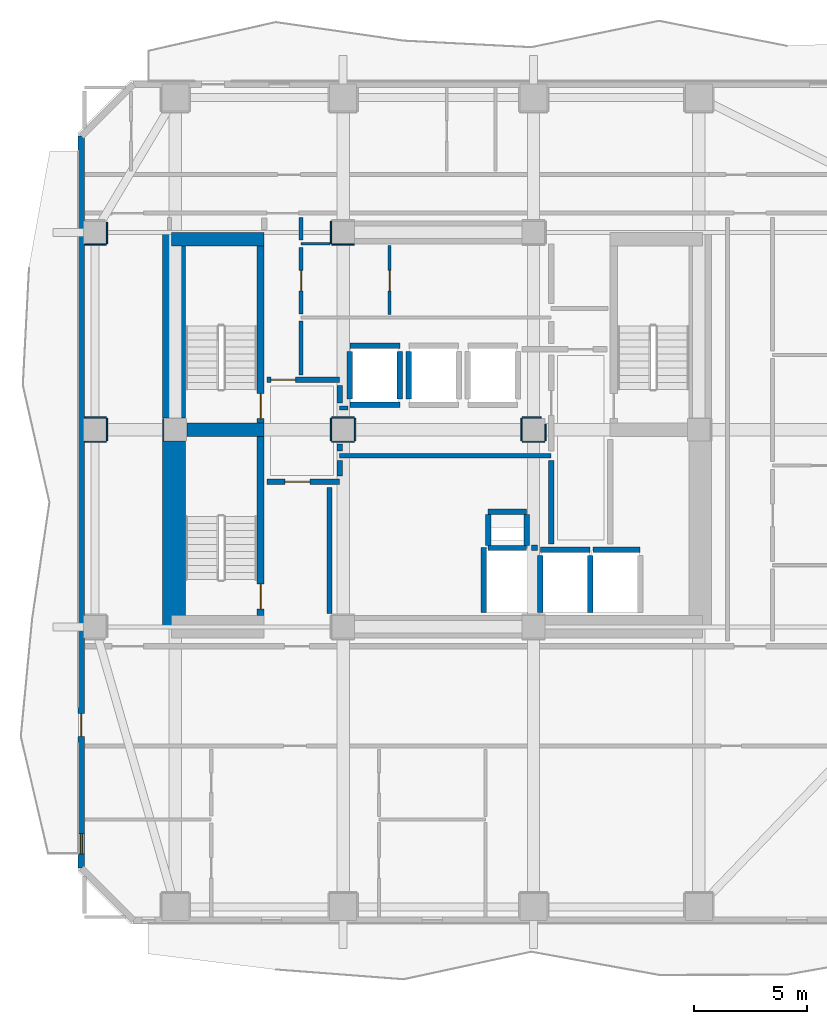
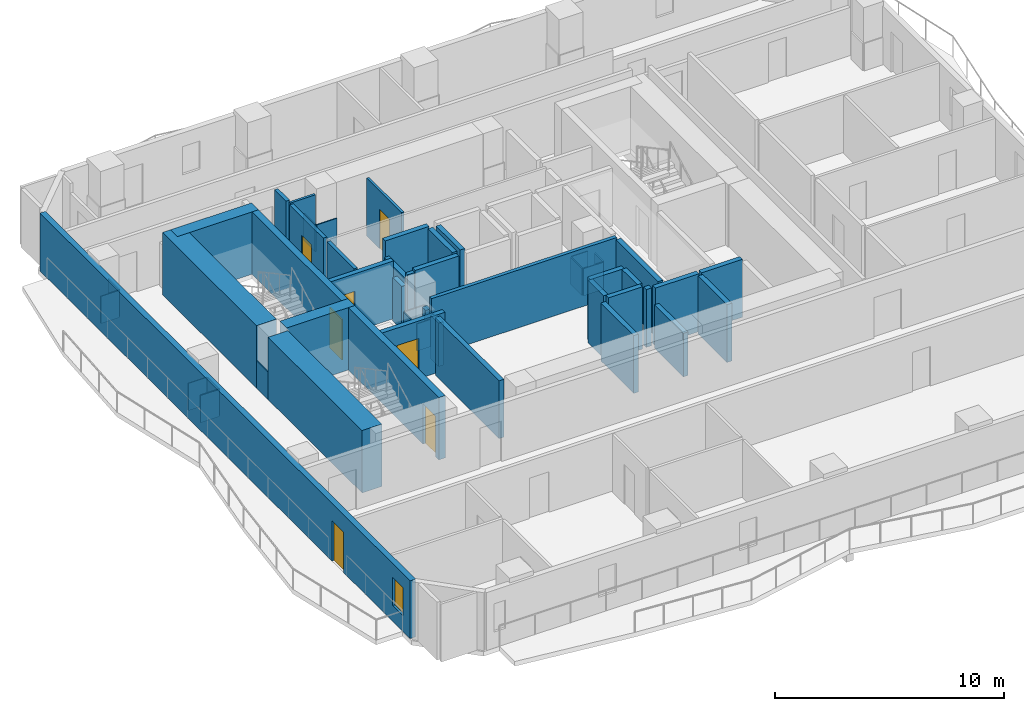
# One storey, part 3 of 9: 52 walls, 7 doors, 1 window, 8 openings.
"""IFC4 building model written with IfcOpenShell, lengths in metres."""

from ifc_helpers import new_model, si_unit, direction, frame, frame_2d, origin, place, context, subcontext, project, spatial, rectangle, extrude, material, layer, layer_set, type_object, element, fill, save


model = new_model("IFC4")

# Units and contexts
model_context = context("Model", 3, precision=1e-05, world=origin(), true_north=direction((0.0, 1.0)))
body_context = subcontext(model_context, "Body", "Model", "MODEL_VIEW")
ifc_project = project(units=[si_unit("LENGTHUNIT", "METRE"), si_unit("AREAUNIT", "SQUARE_METRE"), si_unit("VOLUMEUNIT", "CUBIC_METRE"), si_unit("PLANEANGLEUNIT", "RADIAN"), si_unit("MASSUNIT", "GRAM", prefix="KILO")], contexts=[model_context])

# Site, building, storey
site_placement = place(None, origin())
site = spatial("IfcSite", under=ifc_project, at=site_placement, CompositionType="ELEMENT")
building_placement = place(site_placement, origin())
building = spatial("IfcBuilding", under=site, at=building_placement, Name="Solanera Arch Residences", CompositionType="ELEMENT")
storey_placement = place(building_placement, frame((0.0, 0.0, 139.280029296875)))
storey = spatial("IfcBuildingStorey", under=building, at=storey_placement, Name="L40", CompositionType="ELEMENT", Elevation=139.280029296875)

# Walls
ifc_material_1 = material(Name="Fire-Rated Gypsum Stud Partition", Category="gypsum")
ifc_layer_1 = layer(ifc_material_1, 0.06005859375)
ifc_layer_set_1 = layer_set([ifc_layer_1], Name="Fire-Rated Gypsum Stud Partition")
wall_type_1 = type_object("IfcWallType", Name="Column Acoustic Furring Wall 60", PredefinedType="PARTITIONING", material=ifc_layer_set_1)
for number, where, z_axis, x_axis, name in (
    (1, (20.300048828125, 38.867919921875, 0.0), (0.0, 0.0, 1.0), (1.0, 0.0, 0.0), "L40 Column Furring 3S"),
    (2, (20.26806640625, 38.89990234375, 0.0), (0.0, 0.0, 1.0), (0.0, 1.0, 0.0), "L40 Column Furring 3W"),
):
    element("IfcWall", number, at=place(storey_placement, frame(where, z_axis=z_axis, x_axis=x_axis)), inside=storey, type_object=wall_type_1, Name=name, PredefinedType="PARTITIONING", context=body_context, shape_type="SweptSolid", body=[
        extrude(rectangle(XDim=1.0, YDim=0.06005859375, at=frame_2d((0.5, 0.0))), origin(), (0.0, 0.0, 1.0), 1.449951171875),
    ])
wall_1_placement = place(storey_placement, frame((12.867919921875, 30.2099609375, 0.0), z_axis=(0.0, 0.0, 1.0), x_axis=(0.0, 1.0, 0.0)))
element("IfcWall", 3, at=wall_1_placement, inside=storey, type_object=wall_type_1, Name="L40 Column Furring 5W", PredefinedType="PARTITIONING", context=body_context, shape_type="SweptSolid", body=[
    extrude(rectangle(XDim=0.97998046875, YDim=0.06005859375, at=frame_2d((0.489990234375, 0.0))), origin(), (0.0, 0.0, 1.0), 1.449951171875),
])
for number, where, z_axis, x_axis, name in (
    (4, (20.300048828125, 30.16796875, 0.0), (0.0, 0.0, 1.0), (1.0, 0.0, 0.0), "L40 Column Furring 7S"),
    (5, (20.300048828125, 31.23193359375, 0.0), (0.0, 0.0, 1.0), (1.0, 0.0, 0.0), "L40 Column Furring 7N"),
    (6, (20.26806640625, 30.199951171875, 0.0), (0.0, 0.0, 1.0), (0.0, 1.0, 0.0), "L40 Column Furring 7W"),
    (7, (21.33203125, 30.199951171875, 0.0), (0.0, 0.0, 1.0), (0.0, 1.0, 0.0), "L40 Column Furring 7E"),
    (8, (28.699951171875, 30.16796875, 0.0), (0.0, 0.0, 1.0), (1.0, 0.0, 0.0), "L40 Column Furring 8S"),
):
    element("IfcWall", number, at=place(storey_placement, frame(where, z_axis=z_axis, x_axis=x_axis)), inside=storey, type_object=wall_type_1, Name=name, PredefinedType="PARTITIONING", context=body_context, shape_type="SweptSolid", body=[
        extrude(rectangle(XDim=1.0, YDim=0.06005859375, at=frame_2d((0.5, 0.0))), origin(), (0.0, 0.0, 1.0), 1.449951171875),
    ])
wall_2_placement = place(storey_placement, frame((28.699951171875, 31.23193359375, 0.0), z_axis=(0.0, 0.0, 1.0), x_axis=(1.0, 0.0, 0.0)))
element("IfcWall", 9, at=wall_2_placement, inside=storey, type_object=wall_type_1, Name="L40 Column Furring 8N", PredefinedType="PARTITIONING", context=body_context, shape_type="SweptSolid", body=[
    extrude(rectangle(XDim=0.8349609375, YDim=0.06005859375, at=frame_2d((0.41748046875, 0.0))), origin(), (0.0, 0.0, 1.0), 1.449951171875),
])
wall_3_placement = place(storey_placement, frame((28.66796875, 30.199951171875, 0.0), z_axis=(0.0, 0.0, 1.0), x_axis=(0.0, 1.0, 0.0)))
element("IfcWall", 10, at=wall_3_placement, inside=storey, type_object=wall_type_1, Name="L40 Column Furring 8W", PredefinedType="PARTITIONING", context=body_context, shape_type="SweptSolid", body=[
    extrude(rectangle(XDim=1.0, YDim=0.06005859375, at=frame_2d((0.5, 0.0))), origin(), (0.0, 0.0, 1.0), 1.449951171875),
])
wall_4_placement = place(storey_placement, frame((29.73193359375, 30.199951171875, 0.0), z_axis=(0.0, 0.0, 1.0), x_axis=(0.0, 1.0, 0.0)))
element("IfcWall", 11, at=wall_4_placement, inside=storey, type_object=wall_type_1, Name="L40 Column Furring 8E", PredefinedType="PARTITIONING", context=body_context, shape_type="SweptSolid", body=[
    extrude(rectangle(XDim=0.7470703125, YDim=0.06005859375, at=frame_2d((0.37353515625, 0.0))), origin(), (0.0, 0.0, 1.0), 1.449951171875),
])
for number, where, z_axis, x_axis, name in (
    (12, (9.409912109375, 30.16796875, 0.0), (0.0, 0.0, 1.0), (1.0, 0.0, 0.0), "L40 Column Furring 19S"),
    (13, (9.409912109375, 31.23193359375, 0.0), (0.0, 0.0, 1.0), (1.0, 0.0, 0.0), "L40 Column Furring 19N"),
):
    element("IfcWall", number, at=place(storey_placement, frame(where, z_axis=z_axis, x_axis=x_axis)), inside=storey, type_object=wall_type_1, Name=name, PredefinedType="PARTITIONING", context=body_context, shape_type="SweptSolid", body=[
        extrude(rectangle(XDim=0.940185546875, YDim=0.06005859375, at=frame_2d((0.47021484375, 0.0))), origin(), (0.0, 0.0, 1.0), 1.449951171875),
    ])
wall_5_placement = place(storey_placement, frame((10.382080078125, 30.199951171875, 0.0), z_axis=(0.0, 0.0, 1.0), x_axis=(0.0, 1.0, 0.0)))
element("IfcWall", 14, at=wall_5_placement, inside=storey, type_object=wall_type_1, Name="L40 Column Furring 19E", PredefinedType="PARTITIONING", context=body_context, shape_type="SweptSolid", body=[
    extrude(rectangle(XDim=1.0, YDim=0.06005859375, at=frame_2d((0.5, 0.0))), origin(), (0.0, 0.0, 1.0), 1.449951171875),
])
wall_6_placement = place(storey_placement, frame((9.409912109375, 38.867919921875, 0.0), z_axis=(0.0, 0.0, 1.0), x_axis=(1.0, 0.0, 0.0)))
element("IfcWall", 15, at=wall_6_placement, inside=storey, type_object=wall_type_1, Name="L40 Column Furring 21S", PredefinedType="PARTITIONING", context=body_context, shape_type="SweptSolid", body=[
    extrude(rectangle(XDim=0.940185546875, YDim=0.06005859375, at=frame_2d((0.47021484375, 0.0))), origin(), (0.0, 0.0, 1.0), 1.449951171875),
])
wall_7_placement = place(storey_placement, frame((10.382080078125, 38.89990234375, 0.0), z_axis=(0.0, 0.0, 1.0), x_axis=(0.0, 1.0, 0.0)))
element("IfcWall", 16, at=wall_7_placement, inside=storey, type_object=wall_type_1, Name="L40 Column Furring 21E", PredefinedType="PARTITIONING", context=body_context, shape_type="SweptSolid", body=[
    extrude(rectangle(XDim=0.9560546875, YDim=0.06005859375, at=frame_2d((0.47802734375, 0.0))), origin(), (0.0, 0.0, 1.0), 1.449951171875),
])
ifc_material_2 = material(Name="Concrete C55/67 (f'c = 60 MPa)", Category="concrete")
ifc_layer_2 = layer(ifc_material_2, 1.0)
ifc_layer_set_2 = layer_set([ifc_layer_2], Name="Concrete C55/67 (f'c = 60 MPa)")
wall_type_2 = type_object("IfcWallType", Name="Core Shear Wall CW-1000", PredefinedType="SHEAR", material=ifc_layer_set_2)
wall_8_placement = place(storey_placement, frame((13.340087890625, 22.0, 0.0), z_axis=(0.0, 0.0, 1.0), x_axis=(0.0, 1.0, 0.0)))
element("IfcWall", 17, at=wall_8_placement, inside=storey, type_object=wall_type_2, Name="L40 West Core South Shear Wall", PredefinedType="SHEAR", context=body_context, shape_type="SweptSolid", body=[
    extrude(rectangle(XDim=8.195068359375, YDim=1.0, at=frame_2d((4.09765625, 0.0))), origin(), (0.0, 0.0, 1.0), 3.320068359375),
])
wall_9_placement = place(storey_placement, frame((13.340087890625, 31.205078125, 0.0), z_axis=(0.0, 0.0, 1.0), x_axis=(0.0, 1.0, 0.0)))
element("IfcWall", 18, at=wall_9_placement, inside=storey, type_object=wall_type_2, Name="L40 West Core North Shear Wall", PredefinedType="SHEAR", context=body_context, shape_type="SweptSolid", body=[
    extrude(rectangle(XDim=8.19482421875, YDim=1.0, at=frame_2d((4.097412109375, 0.0))), origin(), (0.0, 0.0, 1.0), 3.320068359375),
])

# Wall, opening, door
ifc_material_3 = material(Name="Concrete C40/50 (f'c = 45 MPa)", Category="concrete")
ifc_layer_3 = layer(ifc_material_3, 0.320068359375)
ifc_layer_set_3 = layer_set([ifc_layer_3], Name="Concrete C40/50 (f'c = 45 MPa)")
wall_type_3 = type_object("IfcWallType", Name="Core Shear Wall CW-320", PredefinedType="SHEAR", material=ifc_layer_set_3)
wall_10_placement = place(storey_placement, frame((17.159912109375, 31.0, 0.0), z_axis=(0.0, 0.0, 1.0), x_axis=(0.0, 1.0, 0.0)))
wall_10 = element("IfcWall", 19, at=wall_10_placement, inside=storey, type_object=wall_type_3, Name="L40 Stair ST-T1 East Shear Wall", PredefinedType="SHEAR", context=body_context, shape_type="SweptSolid", body=[
    extrude(rectangle(XDim=7.800048828125, YDim=0.320068359375, at=frame_2d((3.89990234375, 0.0))), origin(), (0.0, 0.0, 1.0), 3.320068359375),
])
opening_1_placement = place(wall_10_placement, frame((0.18994140625, 0.0, 0.0)))
opening_1 = element("IfcOpeningElement", 20, at=opening_1_placement, cuts=wall_10, Name="Opening DF-01", PredefinedType="OPENING", context=body_context, shape_type="SweptSolid", body=[
    extrude(rectangle(XDim=1.10009765625, YDim=2.14990234375, at=frame_2d((0.550048828125, 1.074951171875))), frame((0.0, 0.169921875, 0.0), z_axis=(0.0, -1.0, 0.0), x_axis=(1.0, 0.0, 0.0)), (0.0, 0.0, 1.0), 0.3401),
])
ifc_material_4 = material(Name="Fire-Rated Architectural Hardwood", Category="wood")
door_type_1 = type_object("IfcDoorType", Name="Stair Exit Fire Door DF-01", OperationType="NOTDEFINED", PredefinedType="DOOR", material=ifc_material_4)
door_1_placement = place(opening_1_placement, origin())
door_1 = element("IfcDoor", 21, at=door_1_placement, inside=storey, type_object=door_type_1, Name="DR-L40-STAIR-ST-T1", OperationType="SINGLE_SWING_RIGHT", OverallHeight=2.14990234375, OverallWidth=1.10009765625, PredefinedType="DOOR", context=body_context, shape_type="SweptSolid", body=[
    extrude(rectangle(XDim=1.10009765625, YDim=2.14990234375, at=frame_2d((0.550048828125, 1.074951171875))), frame((0.0, 0.02490234375, 0.0), z_axis=(0.0, -1.0, 0.0), x_axis=(1.0, 0.0, 0.0)), (0.0, 0.0, 1.0), 0.050048828125),
])
fill(opening_1, door_1)

wall_11_placement = place(storey_placement, frame((17.159912109375, 22.5, 0.0), z_axis=(0.0, 0.0, 1.0), x_axis=(0.0, 1.0, 0.0)))
wall_11 = element("IfcWall", 22, at=wall_11_placement, inside=storey, type_object=wall_type_3, Name="L40 Stair ST-T3 East Shear Wall", PredefinedType="SHEAR", context=body_context, shape_type="SweptSolid", body=[
    extrude(rectangle(XDim=7.89990234375, YDim=0.320068359375, at=frame_2d((3.949951171875, 0.0))), origin(), (0.0, 0.0, 1.0), 3.320068359375),
])
opening_2_placement = place(wall_11_placement, frame((0.2900390625, 0.0, 0.0)))
opening_2 = element("IfcOpeningElement", 23, at=opening_2_placement, cuts=wall_11, Name="Opening DF-01", PredefinedType="OPENING", context=body_context, shape_type="SweptSolid", body=[
    extrude(rectangle(XDim=1.10009765625, YDim=2.14990234375, at=frame_2d((0.550048828125, 1.074951171875))), frame((0.0, 0.169921875, 0.0), z_axis=(0.0, -1.0, 0.0), x_axis=(1.0, 0.0, 0.0)), (0.0, 0.0, 1.0), 0.3401),
])
door_2_placement = place(opening_2_placement, origin())
door_2 = element("IfcDoor", 24, at=door_2_placement, inside=storey, type_object=door_type_1, Name="DR-L40-STAIR-ST-T3", OperationType="SINGLE_SWING_RIGHT", OverallHeight=2.14990234375, OverallWidth=1.10009765625, PredefinedType="DOOR", context=body_context, shape_type="SweptSolid", body=[
    extrude(rectangle(XDim=1.10009765625, YDim=2.14990234375, at=frame_2d((0.550048828125, 1.074951171875))), frame((0.0, 0.02490234375, 0.0), z_axis=(0.0, -1.0, 0.0), x_axis=(1.0, 0.0, 0.0)), (0.0, 0.0, 1.0), 0.050048828125),
])
fill(opening_2, door_2)

# Walls
ifc_material_5 = material(Name="Concrete C40/50 (f'c = 45 MPa)", Category="concrete")
ifc_layer_4 = layer(ifc_material_5, 0.60009765625)
ifc_layer_set_4 = layer_set([ifc_layer_4], Name="Concrete C40/50 (f'c = 45 MPa)")
wall_type_4 = type_object("IfcWallType", Name="Core Shear Wall CW-600", PredefinedType="SHEAR", material=ifc_layer_set_4)
wall_12_placement = place(storey_placement, frame((13.239990234375, 39.10009765625, 0.0), z_axis=(0.0, 0.0, 1.0), x_axis=(1.0, 0.0, 0.0)))
element("IfcWall", 25, at=wall_12_placement, inside=storey, type_object=wall_type_4, Name="L40 North-West Core Shear Wall", PredefinedType="SHEAR", context=body_context, shape_type="SweptSolid", body=[
    extrude(rectangle(XDim=4.080078125, YDim=0.60009765625, at=frame_2d((2.0400390625, 0.0))), origin(), (0.0, 0.0, 1.0), 3.320068359375),
])
wall_13_placement = place(storey_placement, frame((13.905029296875, 30.699951171875, 0.0), z_axis=(0.0, 0.0, 1.0), x_axis=(1.0, 0.0, 0.0)))
element("IfcWall", 26, at=wall_13_placement, inside=storey, type_object=wall_type_4, Name="L40 West Stair Divider Shear Wall", PredefinedType="SHEAR", context=body_context, shape_type="SweptSolid", body=[
    extrude(rectangle(XDim=3.4150390625, YDim=0.60009765625, at=frame_2d((1.70751953125, 0.0))), origin(), (0.0, 0.0, 1.0), 3.320068359375),
])
ifc_material_6 = material(Name="Autoclaved Aerated Concrete Blockwork", Category="masonry")
ifc_layer_5 = layer(ifc_material_6, 0.179931640625)
ifc_layer_set_5 = layer_set([ifc_layer_5], Name="Autoclaved Aerated Concrete Blockwork")
wall_type_5 = type_object("IfcWallType", Name="Corridor Fire Partition 180", PredefinedType="PARTITIONING", material=ifc_layer_set_5)
wall_14_placement = place(storey_placement, frame((20.64990234375, 29.550048828125, 0.0), z_axis=(0.0, 0.0, 1.0), x_axis=(1.0, 0.0, 0.0)))
element("IfcWall", 27, at=wall_14_placement, inside=storey, type_object=wall_type_5, Name="L40 Interior Partition H7", PredefinedType="PARTITIONING", context=body_context, shape_type="SweptSolid", body=[
    extrude(rectangle(XDim=9.3251953125, YDim=0.179931640625, at=frame_2d((4.66259765625, 0.0))), origin(), (0.0, 0.0, 1.0), 3.080078125),
])
wall_15_placement = place(storey_placement, frame((20.64990234375, 31.64990234375, 0.0), z_axis=(0.0, 0.0, 1.0), x_axis=(1.0, 0.0, 0.0)))
element("IfcWall", 28, at=wall_15_placement, inside=storey, type_object=wall_type_5, Name="L40 Interior Partition H8", PredefinedType="PARTITIONING", context=body_context, shape_type="SweptSolid", body=[
    extrude(rectangle(XDim=0.357177734375, YDim=0.179931640625, at=frame_2d((0.1787109375, 0.0))), origin(), (0.0, 0.0, 1.0), 3.080078125),
])
wall_16_placement = place(storey_placement, frame((18.949951171875, 33.117919921875, 0.0), z_axis=(0.0, 0.0, 1.0), x_axis=(0.0, 1.0, 0.0)))
element("IfcWall", 29, at=wall_16_placement, inside=storey, type_object=wall_type_5, Name="L40 Interior Partition V8 1", PredefinedType="PARTITIONING", context=body_context, shape_type="SweptSolid", body=[
    extrude(rectangle(XDim=2.3740234375, YDim=0.179931640625, at=frame_2d((1.18701171875, 0.0))), origin(), (0.0, 0.0, 1.0), 3.080078125),
])

# Wall, opening, door
wall_17_placement = place(storey_placement, frame((18.949951171875, 35.80810546875, 0.0), z_axis=(0.0, 0.0, 1.0), x_axis=(0.0, 1.0, 0.0)))
wall_17 = element("IfcWall", 30, at=wall_17_placement, inside=storey, type_object=wall_type_5, Name="L40 Interior Partition V8 2", PredefinedType="PARTITIONING", context=body_context, shape_type="SweptSolid", body=[
    extrude(rectangle(XDim=2.933837890625, YDim=0.179931640625, at=frame_2d((1.466796875, 0.0))), origin(), (0.0, 0.0, 1.0), 3.080078125),
])
opening_3_placement = place(wall_17_placement, frame((1.01708984375, 0.0, 0.0)))
opening_3 = element("IfcOpeningElement", 31, at=opening_3_placement, cuts=wall_17, Name="Opening DI-02", PredefinedType="OPENING", context=body_context, shape_type="SweptSolid", body=[
    extrude(rectangle(XDim=0.89990234375, YDim=2.10009765625, at=frame_2d((0.449951171875, 1.050048828125))), frame((0.0, 0.10009765625, 0.0), z_axis=(0.0, -1.0, 0.0), x_axis=(1.0, 0.0, 0.0)), (0.0, 0.0, 1.0), 0.1999),
])
ifc_material_7 = material(Name="Fire-Rated Architectural Hardwood", Category="wood")
door_type_2 = type_object("IfcDoorType", Name="Suite Room Swing Door DI-02", OperationType="NOTDEFINED", PredefinedType="DOOR", material=ifc_material_7)
door_3_placement = place(opening_3_placement, origin())
door_3 = element("IfcDoor", 32, at=door_3_placement, inside=storey, type_object=door_type_2, Name="DR-L40-IN-014", OperationType="SINGLE_SWING_LEFT", OverallHeight=2.10009765625, OverallWidth=0.89990234375, PredefinedType="DOOR", context=body_context, shape_type="SweptSolid", body=[
    extrude(rectangle(XDim=0.89990234375, YDim=2.10009765625, at=frame_2d((0.449951171875, 1.050048828125))), frame((0.0, 0.02490234375, 0.0), z_axis=(0.0, -1.0, 0.0), x_axis=(1.0, 0.0, 0.0)), (0.0, 0.0, 1.0), 0.050048828125),
])
fill(opening_3, door_3)

# Wall
wall_18_placement = place(storey_placement, frame((18.949951171875, 39.05810546875, 0.0), z_axis=(0.0, 0.0, 1.0), x_axis=(0.0, 1.0, 0.0)))
element("IfcWall", 33, at=wall_18_placement, inside=storey, type_object=wall_type_5, Name="L40 Interior Partition V8 3", PredefinedType="PARTITIONING", context=body_context, shape_type="SweptSolid", body=[
    extrude(rectangle(XDim=1.00390625, YDim=0.179931640625, at=frame_2d((0.501953125, 0.0))), origin(), (0.0, 0.0, 1.0), 3.080078125),
])

# Wall, openings, door, window
ifc_material_8 = material(Name="Precast Concrete C35/45", Category="concrete")
ifc_layer_6 = layer(ifc_material_8, 0.280029296875)
ifc_layer_set_6 = layer_set([ifc_layer_6], Name="Precast Concrete C35/45")
wall_type_6 = type_object("IfcWallType", Name="Exterior Wall Precast Masonry-Frame 280", PredefinedType="STANDARD", material=ifc_layer_set_6)
wall_19_placement = place(storey_placement, frame((9.2548828125, 11.35498046875, 0.0), z_axis=(0.0, 0.0, 1.0), x_axis=(0.0, 1.0, 0.0)))
wall_19 = element("IfcWall", 34, at=wall_19_placement, inside=storey, type_object=wall_type_6, Name="L40 Tower Exterior Precast Masonry-Frame Wall W", PredefinedType="STANDARD", context=body_context, shape_type="SweptSolid", body=[
    extrude(rectangle(XDim=32.2900390625, YDim=0.280029296875, at=frame_2d((16.14501953125, 0.0))), origin(), (0.0, 0.0, 1.0), 3.080078125),
])
opening_4_placement = place(wall_19_placement, frame((5.818115234375, 0.0, 0.0)))
opening_4 = element("IfcOpeningElement", 35, at=opening_4_placement, cuts=wall_19, Name="Opening DB-01", PredefinedType="OPENING", context=body_context, shape_type="SweptSolid", body=[
    extrude(rectangle(XDim=1.0, YDim=2.14990234375, at=frame_2d((0.5, 1.074951171875))), frame((0.0, 0.14990234375, 0.0), z_axis=(0.0, -1.0, 0.0), x_axis=(1.0, 0.0, 0.0)), (0.0, 0.0, 1.0), 0.3),
])
opening_5_placement = place(wall_19_placement, frame((0.618896484375, 0.0, 0.85009765625)))
opening_5 = element("IfcOpeningElement", 36, at=opening_5_placement, cuts=wall_19, Name="Opening W-06", PredefinedType="OPENING", context=body_context, shape_type="SweptSolid", body=[
    extrude(rectangle(XDim=0.89990234375, YDim=1.5, at=frame_2d((0.449951171875, 0.75))), frame((0.0, 0.14990234375, 0.0), z_axis=(0.0, -1.0, 0.0), x_axis=(1.0, 0.0, 0.0)), (0.0, 0.0, 1.0), 0.3),
])
ifc_material_9 = material(Name="Anodised Aluminium Alloy 6063-T6", Category="aluminium")
door_type_3 = type_object("IfcDoorType", Name="Glazed Balcony Swing Door DB-01", OperationType="NOTDEFINED", PredefinedType="DOOR", material=ifc_material_9)
door_4_placement = place(opening_4_placement, origin())
door_4 = element("IfcDoor", 37, at=door_4_placement, inside=storey, type_object=door_type_3, Name="DR-L40-OUT-04", OperationType="SINGLE_SWING_LEFT", OverallHeight=2.14990234375, OverallWidth=1.0, PredefinedType="DOOR", context=body_context, shape_type="SweptSolid", body=[
    extrude(rectangle(XDim=1.0, YDim=2.14990234375, at=frame_2d((0.5, 1.074951171875))), frame((0.0, 0.02490234375, 0.0), z_axis=(0.0, -1.0, 0.0), x_axis=(1.0, 0.0, 0.0)), (0.0, 0.0, 1.0), 0.050048828125),
])
fill(opening_4, door_4)
ifc_material_10 = material(Name="Double Glazed Low-E Laminated Glass", Category="glass")
window_type = type_object("IfcWindowType", Name="Punched Window W-06", PartitioningType="SINGLE_PANEL", PredefinedType="WINDOW", material=ifc_material_10)
window_placement = place(opening_5_placement, origin())
window = element("IfcWindow", 38, at=window_placement, inside=storey, type_object=window_type, Name="L40 4001-BR1 Punched Window", OverallHeight=1.5, OverallWidth=0.89990234375, PartitioningType="SINGLE_PANEL", PredefinedType="WINDOW", context=body_context, shape_type="SweptSolid", body=[
    extrude(rectangle(XDim=0.89990234375, YDim=1.5, at=frame_2d((0.449951171875, 0.75))), frame((0.0, 0.030029296875, 0.0), z_axis=(0.0, -1.0, 0.0), x_axis=(1.0, 0.0, 0.0)), (0.0, 0.0, 1.0), 0.06005859375),
])
fill(opening_5, window)

# Walls
ifc_material_11 = material(Name="Concrete C40/50 (f'c = 45 MPa)", Category="concrete")
ifc_layer_7 = layer(ifc_material_11, 0.239990234375)
ifc_layer_set_7 = layer_set([ifc_layer_7], Name="Concrete C40/50 (f'c = 45 MPa)")
wall_type_7 = type_object("IfcWallType", Name="Ramp Bearing Shear Wall RW-240", PredefinedType="SHEAR", material=ifc_layer_set_7)
for number, where, z_axis, x_axis, name in (
    (39, (27.199951171875, 25.47998046875, 0.0), (0.0, 0.0, 1.0), (1.0, 0.0, 0.0), "L40 Core MEP Riser South Shaft Wall"),
    (40, (27.199951171875, 27.080078125, 0.0), (0.0, 0.0, 1.0), (1.0, 0.0, 0.0), "L40 Core MEP Riser North Shaft Wall"),
):
    element("IfcWall", number, at=place(storey_placement, frame(where, z_axis=z_axis, x_axis=x_axis)), inside=storey, type_object=wall_type_7, Name=name, PredefinedType="SHEAR", context=body_context, shape_type="SweptSolid", body=[
        extrude(rectangle(XDim=1.699951171875, YDim=0.239990234375, at=frame_2d((0.85009765625, 0.0))), origin(), (0.0, 0.0, 1.0), 3.320068359375),
    ])
for number, where, z_axis, x_axis, name in (
    (41, (27.199951171875, 25.60009765625, 0.0), (0.0, 0.0, 1.0), (0.0, 1.0, 0.0), "L40 Core MEP Riser West Shaft Wall"),
    (42, (28.89990234375, 25.60009765625, 0.0), (0.0, 0.0, 1.0), (0.0, 1.0, 0.0), "L40 Core MEP Riser East Shaft Wall"),
):
    element("IfcWall", number, at=place(storey_placement, frame(where, z_axis=z_axis, x_axis=x_axis)), inside=storey, type_object=wall_type_7, Name=name, PredefinedType="SHEAR", context=body_context, shape_type="SweptSolid", body=[
        extrude(rectangle(XDim=1.35986328125, YDim=0.239990234375, at=frame_2d((0.679931640625, 0.0))), origin(), (0.0, 0.0, 1.0), 3.320068359375),
    ])
ifc_material_12 = material(Name="Autoclaved Aerated Concrete Blockwork", Category="masonry")
ifc_layer_8 = layer(ifc_material_12, 0.239990234375)
ifc_layer_set_8 = layer_set([ifc_layer_8], Name="Autoclaved Aerated Concrete Blockwork")
wall_type_8 = type_object("IfcWallType", Name="Shaft Wall Fire-Rated 240", PredefinedType="PARTITIONING", material=ifc_layer_set_8)
for number, where, z_axis, x_axis, name in (
    (43, (21.10009765625, 31.800048828125, 0.0), (0.0, 0.0, 1.0), (1.0, 0.0, 0.0), "L40 Lift PL-M1 Hoistway Wall S"),
    (44, (21.10009765625, 34.39990234375, 0.0), (0.0, 0.0, 1.0), (1.0, 0.0, 0.0), "L40 Lift PL-M1 Hoistway Wall N"),
):
    element("IfcWall", number, at=place(storey_placement, frame(where, z_axis=z_axis, x_axis=x_axis)), inside=storey, type_object=wall_type_8, Name=name, PredefinedType="PARTITIONING", context=body_context, shape_type="SweptSolid", body=[
        extrude(rectangle(XDim=2.199951171875, YDim=0.239990234375, at=frame_2d((1.10009765625, 0.0))), origin(), (0.0, 0.0, 1.0), 3.080078125),
    ])
wall_20_placement = place(storey_placement, frame((21.10009765625, 32.048095703125, 0.0), z_axis=(0.0, 0.0, 1.0), x_axis=(0.0, 1.0, 0.0)))
element("IfcWall", 45, at=wall_20_placement, inside=storey, type_object=wall_type_8, Name="L40 Lift PL-M1 Hoistway Wall W", PredefinedType="PARTITIONING", context=body_context, shape_type="SweptSolid", body=[
    extrude(rectangle(XDim=2.10400390625, YDim=0.239990234375, at=frame_2d((1.052001953125, 0.0))), origin(), (0.0, 0.0, 1.0), 2.31494140625),
])
for number, where, z_axis, x_axis, name in (
    (46, (23.300048828125, 32.048095703125, 0.0), (0.0, 0.0, 1.0), (0.0, 1.0, 0.0), "L40 Lift PL-M1 Hoistway Wall E"),
    (47, (23.699951171875, 32.048095703125, 0.0), (0.0, 0.0, 1.0), (0.0, 1.0, 0.0), "L40 Lift PL-M2 Hoistway Wall W"),
):
    element("IfcWall", number, at=place(storey_placement, frame(where, z_axis=z_axis, x_axis=x_axis)), inside=storey, type_object=wall_type_8, Name=name, PredefinedType="PARTITIONING", context=body_context, shape_type="SweptSolid", body=[
        extrude(rectangle(XDim=2.10400390625, YDim=0.239990234375, at=frame_2d((1.052001953125, 0.0))), origin(), (0.0, 0.0, 1.0), 3.080078125),
    ])
wall_21_placement = place(storey_placement, frame((29.5, 25.39990234375, 0.0), z_axis=(0.0, 0.0, 1.0), x_axis=(1.0, 0.0, 0.0)))
element("IfcWall", 48, at=wall_21_placement, inside=storey, type_object=wall_type_8, Name="L40 Lift FFL-1 Hoistway Wall N", PredefinedType="PARTITIONING", context=body_context, shape_type="SweptSolid", body=[
    extrude(rectangle(XDim=2.199951171875, YDim=0.239990234375, at=frame_2d((1.10009765625, 0.0))), origin(), (0.0, 0.0, 1.0), 3.080078125),
])
wall_22_placement = place(storey_placement, frame((29.5, 22.632080078125, 0.0), z_axis=(0.0, 0.0, 1.0), x_axis=(0.0, 1.0, 0.0)))
element("IfcWall", 49, at=wall_22_placement, inside=storey, type_object=wall_type_8, Name="L40 Lift FFL-1 Hoistway Wall W", PredefinedType="PARTITIONING", context=body_context, shape_type="SweptSolid", body=[
    extrude(rectangle(XDim=2.52001953125, YDim=0.239990234375, at=frame_2d((1.260009765625, 0.0))), origin(), (0.0, 0.0, 1.0), 2.31494140625),
])
wall_23_placement = place(storey_placement, frame((31.699951171875, 22.6298828125, 0.0), z_axis=(0.0, 0.0, 1.0), x_axis=(0.0, 1.0, 0.0)))
element("IfcWall", 50, at=wall_23_placement, inside=storey, type_object=wall_type_8, Name="L40 Lift FFL-1 Hoistway Wall E", PredefinedType="PARTITIONING", context=body_context, shape_type="SweptSolid", body=[
    extrude(rectangle(XDim=2.522216796875, YDim=0.239990234375, at=frame_2d((1.26123046875, 0.0))), origin(), (0.0, 0.0, 1.0), 3.080078125),
])
wall_24_placement = place(storey_placement, frame((31.827880859375, 25.39990234375, 0.0), z_axis=(0.0, 0.0, 1.0), x_axis=(1.0, 0.0, 0.0)))
element("IfcWall", 51, at=wall_24_placement, inside=storey, type_object=wall_type_8, Name="L40 Lift FFL-2 Hoistway Wall N", PredefinedType="PARTITIONING", context=body_context, shape_type="SweptSolid", body=[
    extrude(rectangle(XDim=2.072021484375, YDim=0.239990234375, at=frame_2d((1.0361328125, 0.0))), origin(), (0.0, 0.0, 1.0), 3.080078125),
])
wall_25_placement = place(storey_placement, frame((29.10302734375, 25.5, 0.0), z_axis=(0.0, 0.0, 1.0), x_axis=(1.0, 0.0, 0.0)))
element("IfcWall", 52, at=wall_25_placement, inside=storey, type_object=wall_type_8, Name="L40 Lift SVL-1 Hoistway Wall N", PredefinedType="PARTITIONING", context=body_context, shape_type="SweptSolid", body=[
    extrude(rectangle(XDim=0.26904296875, YDim=0.239990234375, at=frame_2d((0.134521484375, 0.0))), origin(), (0.0, 0.0, 1.0), 3.080078125),
])
wall_26_placement = place(storey_placement, frame((27.0, 22.6298828125, 0.0), z_axis=(0.0, 0.0, 1.0), x_axis=(0.0, 1.0, 0.0)))
element("IfcWall", 53, at=wall_26_placement, inside=storey, type_object=wall_type_8, Name="L40 Lift SVL-1 Hoistway Wall W", PredefinedType="PARTITIONING", context=body_context, shape_type="SweptSolid", body=[
    extrude(rectangle(XDim=2.8681640625, YDim=0.239990234375, at=frame_2d((1.43408203125, 0.0))), origin(), (0.0, 0.0, 1.0), 3.080078125),
])

# Wall, opening, door
wall_27_placement = place(storey_placement, frame((17.449951171875, 28.39990234375, 0.0), z_axis=(0.0, 0.0, 1.0), x_axis=(1.0, 0.0, 0.0)))
wall_27 = element("IfcWall", 54, at=wall_27_placement, inside=storey, type_object=wall_type_8, Name="L40 Interior Partition H3", PredefinedType="PARTITIONING", context=body_context, shape_type="SweptSolid", body=[
    extrude(rectangle(XDim=3.199951171875, YDim=0.239990234375, at=frame_2d((1.60009765625, 0.0))), origin(), (0.0, 0.0, 1.0), 3.080078125),
])
opening_6_placement = place(wall_27_placement, frame((0.783935546875, 0.0, 0.0)))
opening_6 = element("IfcOpeningElement", 55, at=opening_6_placement, cuts=wall_27, Name="Opening DF-02", PredefinedType="OPENING", context=body_context, shape_type="SweptSolid", body=[
    extrude(rectangle(XDim=1.10009765625, YDim=2.14990234375, at=frame_2d((0.550048828125, 1.074951171875))), frame((0.0, 0.1298828125, 0.0), z_axis=(0.0, -1.0, 0.0), x_axis=(1.0, 0.0, 0.0)), (0.0, 0.0, 1.0), 0.26),
])
ifc_material_13 = material(Name="Fire-Rated Architectural Hardwood", Category="wood")
door_type_4 = type_object("IfcDoorType", Name="Firefighting Lobby Fire Door DF-02", OperationType="NOTDEFINED", PredefinedType="DOOR", material=ifc_material_13)
door_5_placement = place(opening_6_placement, origin())
door_5 = element("IfcDoor", 56, at=door_5_placement, inside=storey, type_object=door_type_4, Name="DR-L40-IN-004", OperationType="SINGLE_SWING_LEFT", OverallHeight=2.14990234375, OverallWidth=1.10009765625, PredefinedType="DOOR", context=body_context, shape_type="SweptSolid", body=[
    extrude(rectangle(XDim=1.10009765625, YDim=2.14990234375, at=frame_2d((0.550048828125, 1.074951171875))), frame((0.0, 0.02490234375, 0.0), z_axis=(0.0, -1.0, 0.0), x_axis=(1.0, 0.0, 0.0)), (0.0, 0.0, 1.0), 0.050048828125),
])
fill(opening_6, door_5)

wall_28_placement = place(storey_placement, frame((17.449951171875, 32.89990234375, 0.0), z_axis=(0.0, 0.0, 1.0), x_axis=(1.0, 0.0, 0.0)))
wall_28 = element("IfcWall", 57, at=wall_28_placement, inside=storey, type_object=wall_type_8, Name="L40 Interior Partition H4", PredefinedType="PARTITIONING", context=body_context, shape_type="SweptSolid", body=[
    extrude(rectangle(XDim=3.199951171875, YDim=0.239990234375, at=frame_2d((1.60009765625, 0.0))), origin(), (0.0, 0.0, 1.0), 3.080078125),
])
opening_7_placement = place(wall_28_placement, frame((0.158935546875, 0.0, 0.0)))
opening_7 = element("IfcOpeningElement", 58, at=opening_7_placement, cuts=wall_28, Name="Opening DF-02", PredefinedType="OPENING", context=body_context, shape_type="SweptSolid", body=[
    extrude(rectangle(XDim=1.10009765625, YDim=2.14990234375, at=frame_2d((0.550048828125, 1.074951171875))), frame((0.0, 0.1298828125, 0.0), z_axis=(0.0, -1.0, 0.0), x_axis=(1.0, 0.0, 0.0)), (0.0, 0.0, 1.0), 0.26),
])
door_6_placement = place(opening_7_placement, origin())
door_6 = element("IfcDoor", 59, at=door_6_placement, inside=storey, type_object=door_type_4, Name="DR-L40-IN-005", OperationType="SINGLE_SWING_RIGHT", OverallHeight=2.14990234375, OverallWidth=1.10009765625, PredefinedType="DOOR", context=body_context, shape_type="SweptSolid", body=[
    extrude(rectangle(XDim=1.10009765625, YDim=2.14990234375, at=frame_2d((0.550048828125, 1.074951171875))), frame((0.0, 0.02490234375, 0.0), z_axis=(0.0, -1.0, 0.0), x_axis=(1.0, 0.0, 0.0)), (0.0, 0.0, 1.0), 0.050048828125),
])
fill(opening_7, door_6)

# Walls
wall_29_placement = place(storey_placement, frame((20.199951171875, 22.5859375, 0.0), z_axis=(0.0, 0.0, 1.0), x_axis=(0.0, 1.0, 0.0)))
element("IfcWall", 60, at=wall_29_placement, inside=storey, type_object=wall_type_8, Name="L40 Interior Partition V2", PredefinedType="PARTITIONING", context=body_context, shape_type="SweptSolid", body=[
    extrude(rectangle(XDim=5.566162109375, YDim=0.239990234375, at=frame_2d((2.783203125, 0.0))), origin(), (0.0, 0.0, 1.0), 3.080078125),
])
wall_30_placement = place(storey_placement, frame((20.64990234375, 28.64794921875, 0.0), z_axis=(0.0, 0.0, 1.0), x_axis=(0.0, 1.0, 0.0)))
element("IfcWall", 61, at=wall_30_placement, inside=storey, type_object=wall_type_8, Name="L40 Interior Partition V3 1", PredefinedType="PARTITIONING", context=body_context, shape_type="SweptSolid", body=[
    extrude(rectangle(XDim=0.68408203125, YDim=0.239990234375, at=frame_2d((0.342041015625, 0.0))), origin(), (0.0, 0.0, 1.0), 2.31494140625),
])
wall_31_placement = place(storey_placement, frame((20.64990234375, 29.76806640625, 0.0), z_axis=(0.0, 0.0, 1.0), x_axis=(0.0, 1.0, 0.0)))
element("IfcWall", 62, at=wall_31_placement, inside=storey, type_object=wall_type_8, Name="L40 Interior Partition V3 2", PredefinedType="PARTITIONING", context=body_context, shape_type="SweptSolid", body=[
    extrude(rectangle(XDim=0.300048828125, YDim=0.239990234375, at=frame_2d((0.14990234375, 0.0))), origin(), (0.0, 0.0, 1.0), 2.31494140625),
])
wall_32_placement = place(storey_placement, frame((20.64990234375, 31.867919921875, 0.0), z_axis=(0.0, 0.0, 1.0), x_axis=(0.0, 1.0, 0.0)))
element("IfcWall", 63, at=wall_32_placement, inside=storey, type_object=wall_type_8, Name="L40 Interior Partition V3 3", PredefinedType="PARTITIONING", context=body_context, shape_type="SweptSolid", body=[
    extrude(rectangle(XDim=0.7841796875, YDim=0.239990234375, at=frame_2d((0.39208984375, 0.0))), origin(), (0.0, 0.0, 1.0), 2.31494140625),
])
wall_33_placement = place(storey_placement, frame((29.97509765625, 25.64794921875, 0.0), z_axis=(0.0, 0.0, 1.0), x_axis=(0.0, 1.0, 0.0)))
element("IfcWall", 64, at=wall_33_placement, inside=storey, type_object=wall_type_8, Name="L40 Interior Partition V4 1", PredefinedType="PARTITIONING", context=body_context, shape_type="SweptSolid", body=[
    extrude(rectangle(XDim=3.68408203125, YDim=0.239990234375, at=frame_2d((1.842041015625, 0.0))), origin(), (0.0, 0.0, 1.0), 3.080078125),
])
ifc_material_14 = material(Name="Fire-Rated Gypsum Stud Partition", Category="gypsum")
ifc_layer_9 = layer(ifc_material_14, 0.1201171875)
ifc_layer_set_9 = layer_set([ifc_layer_9], Name="Fire-Rated Gypsum Stud Partition")
wall_type_9 = type_object("IfcWallType", Name="Unit Drywall Partition 120", PredefinedType="PARTITIONING", material=ifc_layer_set_9)
wall_34_placement = place(storey_placement, frame((18.949951171875, 38.89990234375, 0.0), z_axis=(0.0, 0.0, 1.0), x_axis=(1.0, 0.0, 0.0)))
element("IfcWall", 65, at=wall_34_placement, inside=storey, type_object=wall_type_9, Name="L40 Interior Partition H20", PredefinedType="PARTITIONING", context=body_context, shape_type="SweptSolid", body=[
    extrude(rectangle(XDim=1.278076171875, YDim=0.1201171875, at=frame_2d((0.63916015625, 0.0))), origin(), (0.0, 0.0, 1.0), 3.080078125),
])

# Wall, opening, door
wall_35_placement = place(storey_placement, frame((22.85009765625, 35.778076171875, 0.0), z_axis=(0.0, 0.0, 1.0), x_axis=(0.0, 1.0, 0.0)))
wall_35 = element("IfcWall", 66, at=wall_35_placement, inside=storey, type_object=wall_type_9, Name="L40 Interior Partition V17", PredefinedType="PARTITIONING", context=body_context, shape_type="SweptSolid", body=[
    extrude(rectangle(XDim=3.052001953125, YDim=0.1201171875, at=frame_2d((1.52587890625, 0.0))), origin(), (0.0, 0.0, 1.0), 3.080078125),
])
opening_8_placement = place(wall_35_placement, frame((1.047119140625, 0.0, 0.0)))
opening_8 = element("IfcOpeningElement", 67, at=opening_8_placement, cuts=wall_35, Name="Opening DI-02", PredefinedType="OPENING", context=body_context, shape_type="SweptSolid", body=[
    extrude(rectangle(XDim=0.89990234375, YDim=2.10009765625, at=frame_2d((0.449951171875, 1.050048828125))), frame((0.0, 0.070068359375, 0.0), z_axis=(0.0, -1.0, 0.0), x_axis=(1.0, 0.0, 0.0)), (0.0, 0.0, 1.0), 0.1401),
])
door_7_placement = place(opening_8_placement, origin())
door_7 = element("IfcDoor", 68, at=door_7_placement, inside=storey, type_object=door_type_2, Name="DR-L40-IN-015", OperationType="SINGLE_SWING_RIGHT", OverallHeight=2.10009765625, OverallWidth=0.89990234375, PredefinedType="DOOR", context=body_context, shape_type="SweptSolid", body=[
    extrude(rectangle(XDim=0.89990234375, YDim=2.10009765625, at=frame_2d((0.449951171875, 1.050048828125))), frame((0.0, 0.02490234375, 0.0), z_axis=(0.0, -1.0, 0.0), x_axis=(1.0, 0.0, 0.0)), (0.0, 0.0, 1.0), 0.050048828125),
])
fill(opening_8, door_7)

save(model, "model.ifc")
